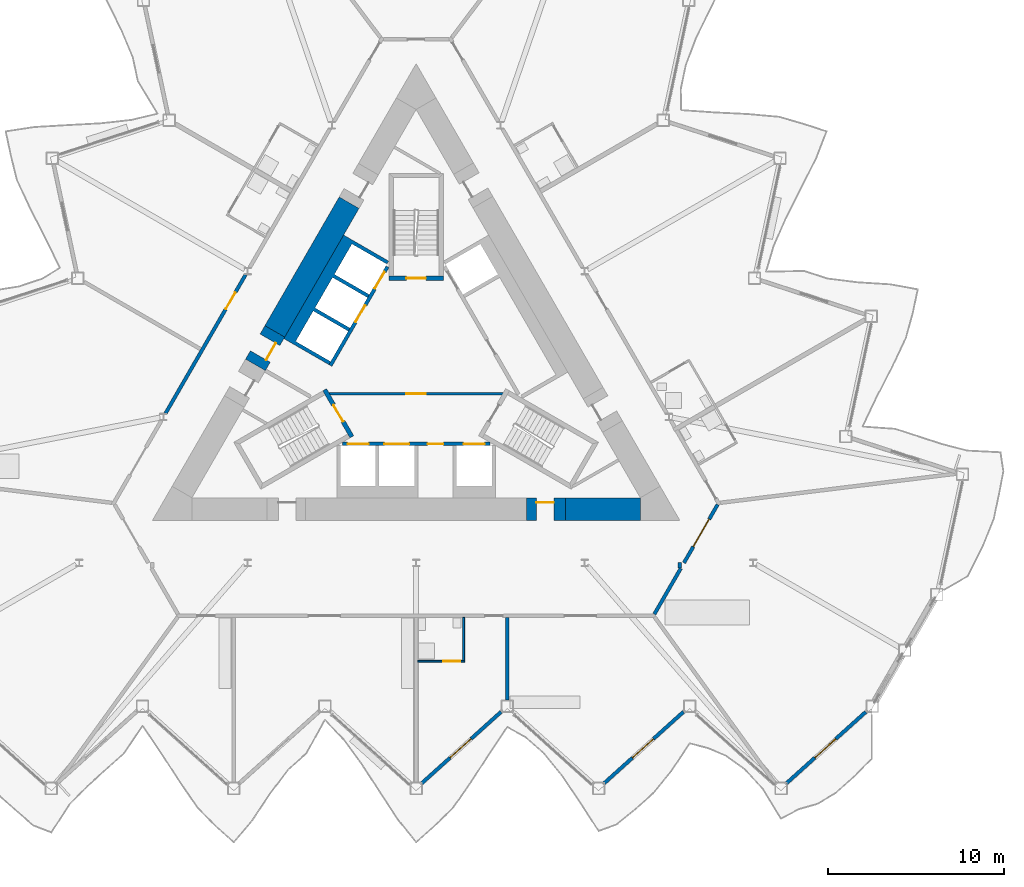
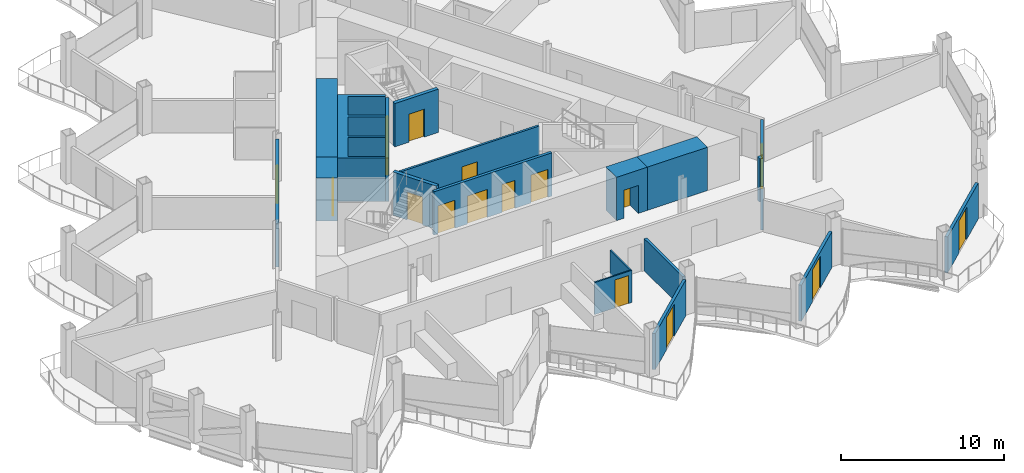
# One storey, part 12 of 24: 20 walls, 17 doors, 17 openings.
"""IFC4 building model written with IfcOpenShell, lengths in metres."""

from ifc_helpers import new_model, si_unit, direction, frame, frame_2d, origin, place, context, subcontext, project, spatial, polyline, rectangle, outline, extrude, material, layer, layer_set, type_object, element, fill, save


model = new_model("IFC4")

# Units and contexts
model_context = context("Model", 3, precision=1e-05, world=origin(), true_north=direction((0.0, 1.0)))
body_context = subcontext(model_context, "Body", "Model", "MODEL_VIEW")
ifc_project = project(units=[si_unit("LENGTHUNIT", "METRE"), si_unit("AREAUNIT", "SQUARE_METRE"), si_unit("VOLUMEUNIT", "CUBIC_METRE"), si_unit("PLANEANGLEUNIT", "RADIAN"), si_unit("MASSUNIT", "GRAM", prefix="KILO")], contexts=[model_context])

# Site, building, storey
site_placement = place(None, origin())
site = spatial("IfcSite", under=ifc_project, at=site_placement, CompositionType="ELEMENT")
building_placement = place(site_placement, origin())
building = spatial("IfcBuilding", under=site, at=building_placement, Name="Cormorant Prow Tower", CompositionType="ELEMENT")
storey_placement = place(building_placement, frame((0.0, 0.0, 274.199951171875)))
storey = spatial("IfcBuildingStorey", under=building, at=storey_placement, Name="L62", CompositionType="ELEMENT", Elevation=274.199951171875)

# Wall, opening, door
ifc_material_1 = material(Name="Gypsum board partition")
ifc_layer_1 = layer(ifc_material_1, 0.14990234375)
ifc_layer_set_1 = layer_set([ifc_layer_1], Name="Gypsum board partition")
wall_type_1 = type_object("IfcWallType", Name="Core partition 150", PredefinedType="PARTITIONING", material=ifc_layer_set_1)
wall_1_placement = place(storey_placement, frame((-4.941162109375, -1.449951171875, 0.0), z_axis=(0.0, 0.0, 1.0), x_axis=(1.0, 0.0, 0.0)))
wall_1 = element("IfcWall", 1, at=wall_1_placement, inside=storey, type_object=wall_type_1, Name="Firefighting lobby partition", PredefinedType="PARTITIONING", context=body_context, shape_type="SweptSolid", body=[
    extrude(rectangle(XDim=9.88232421875, YDim=0.14990234375, at=frame_2d((4.941162109375, 0.0))), origin(), (0.0, 0.0, 1.0), 3.25),
])
opening_1_placement = place(wall_1_placement, frame((4.39111328125, 0.0, 0.0)))
opening_1 = element("IfcOpeningElement", 2, at=opening_1_placement, cuts=wall_1, Name="Opening L62-C09", PredefinedType="OPENING", context=body_context, shape_type="SweptSolid", body=[
    extrude(rectangle(XDim=1.10009765625, YDim=2.10009765625, at=frame_2d((0.550048828125, 1.050048828125))), frame((0.0, 0.0849609375, 0.0), z_axis=(0.0, -1.0, 0.0), x_axis=(1.0, 0.0, 0.0)), (0.0, 0.0, 1.0), 0.169921875),
])
ifc_material_2 = material(Name="Painted steel", Category="steel")
door_type_1 = type_object("IfcDoorType", Name="Firefighting lobby door 1100x2100", OperationType="NOTDEFINED", PredefinedType="DOOR", material=ifc_material_2)
door_1_placement = place(opening_1_placement, origin())
door_1 = element("IfcDoor", 3, at=door_1_placement, inside=storey, type_object=door_type_1, Name="Firefighting lobby door", OperationType="SINGLE_SWING_RIGHT", OverallHeight=2.10009765625, OverallWidth=1.10009765625, PredefinedType="DOOR", context=body_context, shape_type="SweptSolid", body=[
    extrude(rectangle(XDim=1.10009765625, YDim=2.10009765625, at=frame_2d((0.550048828125, 1.050048828125))), frame((0.0, 0.02490234375, 0.0), z_axis=(0.0, -1.0, 0.0), x_axis=(1.0, 0.0, 0.0)), (0.0, 0.0, 1.0), 0.050048828125),
])
fill(opening_1, door_1)

# Walls
ifc_material_3 = material(Name="Concrete 8000 psi", Category="concrete")
ifc_layer_2 = layer(ifc_material_3, 1.300048828125)
ifc_layer_set_2 = layer_set([ifc_layer_2], Name="Concrete 8000 psi")
wall_type_2 = type_object("IfcWallType", Name="Core shear wall 1300", PredefinedType="SHEAR", material=ifc_layer_set_2)
wall_2_placement = place(storey_placement, frame((8.48828125, -8.01025390625, 0.0), z_axis=(0.0, 0.0, 1.0), x_axis=(1.0, 0.0, 0.0)))
element("IfcWall", 4, at=wall_2_placement, inside=storey, type_object=wall_type_2, Name="Core wall", PredefinedType="SHEAR", context=body_context, shape_type="SweptSolid", body=[
    extrude(rectangle(XDim=4.260009765625, YDim=1.300048828125, at=frame_2d((2.1298828125, 0.0))), origin(), (0.0, 0.0, 1.0), 3.25),
])
wall_3_placement = place(storey_placement, frame((-3.811767578125, 9.41845703125, 0.0), z_axis=(0.0, 0.0, 1.0), x_axis=(-0.499995037753, -0.86602826872, 0.0)))
element("IfcWall", 5, at=wall_3_placement, inside=storey, type_object=wall_type_2, Name="Core wall", PredefinedType="SHEAR", context=body_context, shape_type="SweptSolid", body=[
    extrude(rectangle(XDim=8.45068359375, YDim=1.300048828125, at=frame_2d((4.225341796875, 0.0))), origin(), (0.0, 0.0, 1.0), 3.25),
])

# Wall, opening, door
wall_4_placement = place(storey_placement, frame((6.2880859375, -8.01025390625, 0.0), z_axis=(0.0, 0.0, 1.0), x_axis=(1.0, 0.0, 0.0)))
wall_4 = element("IfcWall", 6, at=wall_4_placement, inside=storey, type_object=wall_type_2, Name="Core wall door panel", PredefinedType="SHEAR", context=body_context, shape_type="SweptSolid", body=[
    extrude(rectangle(XDim=2.2001953125, YDim=1.300048828125, at=frame_2d((1.10009765625, 0.0))), origin(), (0.0, 0.0, 1.0), 3.25),
])
opening_2_placement = place(wall_4_placement, frame((0.550048828125, 0.0, 0.0)))
opening_2 = element("IfcOpeningElement", 7, at=opening_2_placement, cuts=wall_4, Name="Opening L62-C13", PredefinedType="OPENING", context=body_context, shape_type="SweptSolid", body=[
    extrude(rectangle(XDim=1.0, YDim=2.10009765625, at=frame_2d((0.5, 1.050048828125))), frame((0.0, 0.659912109375, 0.0), z_axis=(0.0, -1.0, 0.0), x_axis=(1.0, 0.0, 0.0)), (0.0, 0.0, 1.0), 1.320068359375),
])
ifc_material_4 = material(Name="Painted steel", Category="steel")
door_type_2 = type_object("IfcDoorType", Name="Service door 1000x2100", OperationType="NOTDEFINED", PredefinedType="DOOR", material=ifc_material_4)
door_2_placement = place(opening_2_placement, origin())
door_2 = element("IfcDoor", 8, at=door_2_placement, inside=storey, type_object=door_type_2, Name="Core door, Telecom room", OperationType="SINGLE_SWING_RIGHT", OverallHeight=2.10009765625, OverallWidth=1.0, PredefinedType="DOOR", context=body_context, shape_type="SweptSolid", body=[
    extrude(rectangle(XDim=1.0, YDim=2.10009765625, at=frame_2d((0.5, 1.050048828125))), frame((0.0, 0.40478515625, 0.0), z_axis=(0.0, -1.0, 0.0), x_axis=(1.0, 0.0, 0.0)), (0.0, 0.0, 1.0), 0.050048828125),
])
fill(opening_2, door_2)

wall_5_placement = place(storey_placement, frame((-8.037109375, 2.099853515625, 0.0), z_axis=(0.0, 0.0, 1.0), x_axis=(-0.50002983664, -0.866008176907, 0.0)))
wall_5 = element("IfcWall", 9, at=wall_5_placement, inside=storey, type_object=wall_type_2, Name="Core wall door panel", PredefinedType="SHEAR", context=body_context, shape_type="SweptSolid", body=[
    extrude(rectangle(XDim=2.199951171875, YDim=1.300048828125, at=frame_2d((1.10009765625, 0.0))), origin(), (0.0, 0.0, 1.0), 3.25),
])
opening_3_placement = place(wall_5_placement, frame((0.550048828125, 0.0, 0.0)))
opening_3 = element("IfcOpeningElement", 10, at=opening_3_placement, cuts=wall_5, Name="Opening L62-C19", PredefinedType="OPENING", context=body_context, shape_type="SweptSolid", body=[
    extrude(rectangle(XDim=1.10009765625, YDim=2.10009765625, at=frame_2d((0.550048828125, 1.050048828125))), frame((0.0, 0.659912109375, 0.0), z_axis=(0.0, -1.0, 0.0), x_axis=(1.0, 0.0, 0.0)), (0.0, 0.0, 1.0), 1.320068359375),
])
ifc_material_5 = material(Name="Painted steel", Category="steel")
door_type_3 = type_object("IfcDoorType", Name="Core door 1100x2100", OperationType="NOTDEFINED", PredefinedType="DOOR", material=ifc_material_5)
door_3_placement = place(opening_3_placement, origin())
door_3 = element("IfcDoor", 11, at=door_3_placement, inside=storey, type_object=door_type_3, Name="Core door, lift lobby", OperationType="SINGLE_SWING_RIGHT", OverallHeight=2.10009765625, OverallWidth=1.10009765625, PredefinedType="DOOR", context=body_context, shape_type="SweptSolid", body=[
    extrude(rectangle(XDim=1.10009765625, YDim=2.10009765625, at=frame_2d((0.550048828125, 1.050048828125))), frame((0.0, 0.40478515625, 0.0), z_axis=(0.0, -1.0, 0.0), x_axis=(1.0, 0.0, 0.0)), (0.0, 0.0, 1.0), 0.050048828125),
])
fill(opening_3, door_3)

ifc_material_6 = material(Name="Gypsum board corridor wall")
ifc_layer_3 = layer(ifc_material_6, 0.199951171875)
ifc_layer_set_3 = layer_set([ifc_layer_3], Name="Gypsum board corridor wall")
wall_type_3 = type_object("IfcWallType", Name="Corridor wall 200", PredefinedType="PARTITIONING", material=ifc_layer_set_3)
wall_6_placement = place(storey_placement, frame((-14.24658203125, -2.5556640625, 0.0), z_axis=(0.0, 0.0, 1.0), x_axis=(0.49998193945, 0.866035830797, 0.0)))
wall_6 = element("IfcWall", 12, at=wall_6_placement, inside=storey, type_object=wall_type_3, Name="Corridor wall", PredefinedType="PARTITIONING", context=body_context, shape_type="SweptSolid", body=[
    extrude(rectangle(XDim=9.094482421875, YDim=0.199951171875, at=frame_2d((4.54736328125, 0.0))), origin(), (0.0, 0.0, 1.0), 3.25),
])
opening_4_placement = place(wall_6_placement, frame((6.833251953125, 0.0, 0.0)))
opening_4 = element("IfcOpeningElement", 13, at=opening_4_placement, cuts=wall_6, Name="Opening L62-F17", PredefinedType="OPENING", context=body_context, shape_type="SweptSolid", body=[
    extrude(rectangle(XDim=1.10009765625, YDim=2.10009765625, at=frame_2d((0.550048828125, 1.050048828125))), frame((0.0, 0.10986328125, 0.0), z_axis=(0.0, -1.0, 0.0), x_axis=(1.0, 0.0, 0.0)), (0.0, 0.0, 1.0), 0.219970703125),
])
ifc_material_7 = material(Name="Timber door leaf", Category="wood")
door_type_4 = type_object("IfcDoorType", Name="Suite entrance door 1100x2100", OperationType="NOTDEFINED", PredefinedType="DOOR", material=ifc_material_7)
door_4_placement = place(opening_4_placement, origin())
door_4 = element("IfcDoor", 14, at=door_4_placement, inside=storey, type_object=door_type_4, Name="Junior suite door", OperationType="SINGLE_SWING_RIGHT", OverallHeight=2.10009765625, OverallWidth=1.10009765625, PredefinedType="DOOR", context=body_context, shape_type="SweptSolid", body=[
    extrude(rectangle(XDim=1.10009765625, YDim=2.10009765625, at=frame_2d((0.550048828125, 1.050048828125))), frame((0.0, 0.02490234375, 0.0), z_axis=(0.0, -1.0, 0.0), x_axis=(1.0, 0.0, 0.0)), (0.0, 0.0, 1.0), 0.050048828125),
])
fill(opening_4, door_4)

wall_7_placement = place(storey_placement, frame((15.23095703125, -11.060302734375, 0.0), z_axis=(0.0, 0.0, 1.0), x_axis=(0.499961815444, 0.866047448526, 0.0)))
wall_7 = element("IfcWall", 15, at=wall_7_placement, inside=storey, type_object=wall_type_3, Name="Corridor wall", PredefinedType="PARTITIONING", context=body_context, shape_type="SweptSolid", body=[
    extrude(rectangle(XDim=3.825927734375, YDim=0.199951171875, at=frame_2d((1.9130859375, 0.0))), origin(), (0.0, 0.0, 1.0), 3.25),
])
opening_5_placement = place(wall_7_placement, frame((1.06396484375, 0.0, 0.0)))
opening_5 = element("IfcOpeningElement", 16, at=opening_5_placement, cuts=wall_7, Name="Opening L62-F06", PredefinedType="OPENING", context=body_context, shape_type="SweptSolid", body=[
    extrude(rectangle(XDim=1.800048828125, YDim=2.10009765625, at=frame_2d((0.89990234375, 1.050048828125))), frame((0.0, 0.10986328125, 0.0), z_axis=(0.0, -1.0, 0.0), x_axis=(1.0, 0.0, 0.0)), (0.0, 0.0, 1.0), 0.219970703125),
])
ifc_material_8 = material(Name="Timber door leaf", Category="wood")
door_type_5 = type_object("IfcDoorType", Name="Double door 1800x2100", OperationType="DOUBLE_DOOR_SINGLE_SWING", PredefinedType="DOOR", material=ifc_material_8)
door_5_placement = place(opening_5_placement, origin())
door_5 = element("IfcDoor", 17, at=door_5_placement, inside=storey, type_object=door_type_5, Name="Co-working space door", OperationType="DOUBLE_DOOR_SINGLE_SWING", OverallHeight=2.10009765625, OverallWidth=1.800048828125, PredefinedType="DOOR", context=body_context, shape_type="SweptSolid", body=[
    extrude(rectangle(XDim=1.800048828125, YDim=2.10009765625, at=frame_2d((0.89990234375, 1.050048828125))), frame((0.0, 0.02490234375, 0.0), z_axis=(0.0, -1.0, 0.0), x_axis=(1.0, 0.0, 0.0)), (0.0, 0.0, 1.0), 0.050048828125),
])
fill(opening_5, door_5)

# Walls
wall_8_placement = place(storey_placement, frame((13.548828125, -13.9736328125, 0.0), z_axis=(0.0, 0.0, 1.0), x_axis=(0.500048608389, 0.865997337899, 0.0)))
element("IfcWall", 18, at=wall_8_placement, inside=storey, type_object=wall_type_3, Name="Corridor wall", PredefinedType="PARTITIONING", context=body_context, shape_type="SweptSolid", body=[
    extrude(rectangle(XDim=3.002197265625, YDim=0.199951171875, at=frame_2d((1.5009765625, 0.0))), origin(), (0.0, 0.0, 1.0), 3.25),
])
wall_9_placement = place(storey_placement, frame((15.0, -11.3603515625, 0.0), z_axis=(0.0, 0.0, 1.0), x_axis=(0.0, 1.0, 0.0)))
element("IfcWall", 19, at=wall_9_placement, inside=storey, type_object=wall_type_3, Name="Corridor wall", PredefinedType="PARTITIONING", context=body_context, shape_type="SweptSolid", body=[
    extrude(rectangle(XDim=0.31005859375, YDim=0.199951171875, at=frame_2d((0.155029296875, 0.0))), origin(), (0.0, 0.0, 1.0), 3.25),
])
ifc_material_9 = material(Name="Gypsum board demising wall")
ifc_layer_4 = layer(ifc_material_9, 0.199951171875)
ifc_layer_set_4 = layer_set([ifc_layer_4], Name="Gypsum board demising wall")
wall_type_4 = type_object("IfcWallType", Name="Demising wall 200", PredefinedType="PARTITIONING", material=ifc_layer_set_4)
wall_10_placement = place(storey_placement, frame((5.185302734375, -18.85546875, 0.0), z_axis=(0.0, 0.0, 1.0), x_axis=(0.0, 1.0, 0.0)))
element("IfcWall", 20, at=wall_10_placement, inside=storey, type_object=wall_type_4, Name="Demising wall", PredefinedType="PARTITIONING", context=body_context, shape_type="SweptSolid", body=[
    extrude(rectangle(XDim=4.695068359375, YDim=0.199951171875, at=frame_2d((2.34765625, 0.0))), origin(), (0.0, 0.0, 1.0), 2.404296875),
])

# Wall, opening, door
ifc_material_10 = material(Name="Gypsum board partition")
ifc_layer_5 = layer(ifc_material_10, 0.10009765625)
ifc_layer_set_5 = layer_set([ifc_layer_5], Name="Gypsum board partition")
wall_type_5 = type_object("IfcWallType", Name="Internal partition 100", PredefinedType="PARTITIONING", material=ifc_layer_set_5)
wall_11_placement = place(storey_placement, frame((0.10009765625, -16.660400390625, 0.0), z_axis=(0.0, 0.0, 1.0), x_axis=(1.0, 0.0, 0.0)))
wall_11 = element("IfcWall", 21, at=wall_11_placement, inside=storey, type_object=wall_type_5, Name="Internal partition", PredefinedType="PARTITIONING", context=body_context, shape_type="SweptSolid", body=[
    extrude(rectangle(XDim=2.64990234375, YDim=0.10009765625, at=frame_2d((1.324951171875, 0.0))), origin(), (0.0, 0.0, 1.0), 2.404296875),
])
opening_6_placement = place(wall_11_placement, frame((1.449951171875, 0.0, 0.0)))
opening_6 = element("IfcOpeningElement", 22, at=opening_6_placement, cuts=wall_11, Name="Opening L62-F04", PredefinedType="OPENING", context=body_context, shape_type="SweptSolid", body=[
    extrude(rectangle(XDim=0.949951171875, YDim=2.10009765625, at=frame_2d((0.47509765625, 1.050048828125))), frame((0.0, 0.06005859375, 0.0), z_axis=(0.0, -1.0, 0.0), x_axis=(1.0, 0.0, 0.0)), (0.0, 0.0, 1.0), 0.1201171875),
])
ifc_material_11 = material(Name="Timber door leaf", Category="wood")
door_type_6 = type_object("IfcDoorType", Name="Bathroom door 950x2100", OperationType="NOTDEFINED", PredefinedType="DOOR", material=ifc_material_11)
door_6_placement = place(opening_6_placement, origin())
door_6 = element("IfcDoor", 23, at=door_6_placement, inside=storey, type_object=door_type_6, Name="Guest room door", OperationType="SINGLE_SWING_RIGHT", OverallHeight=2.10009765625, OverallWidth=0.949951171875, PredefinedType="DOOR", context=body_context, shape_type="SweptSolid", body=[
    extrude(rectangle(XDim=0.949951171875, YDim=2.10009765625, at=frame_2d((0.47509765625, 1.050048828125))), frame((0.0, 0.02490234375, 0.0), z_axis=(0.0, -1.0, 0.0), x_axis=(1.0, 0.0, 0.0)), (0.0, 0.0, 1.0), 0.050048828125),
])
fill(opening_6, door_6)

# Wall
wall_12_placement = place(storey_placement, frame((2.699951171875, -16.6103515625, 0.0), z_axis=(0.0, 0.0, 1.0), x_axis=(0.0, 1.0, 0.0)))
element("IfcWall", 24, at=wall_12_placement, inside=storey, type_object=wall_type_5, Name="Internal partition", PredefinedType="PARTITIONING", context=body_context, shape_type="SweptSolid", body=[
    extrude(rectangle(XDim=2.449951171875, YDim=0.10009765625, at=frame_2d((1.22509765625, 0.0))), origin(), (0.0, 0.0, 1.0), 2.404296875),
])

# Wall, openings, doors
ifc_material_12 = material(Name="Concrete 5000 psi", Category="concrete")
ifc_layer_6 = layer(ifc_material_12, 0.199951171875)
ifc_layer_set_6 = layer_set([ifc_layer_6], Name="Concrete 5000 psi")
wall_type_6 = type_object("IfcWallType", Name="Lift lobby wall 200", PredefinedType="SOLIDWALL", material=ifc_layer_set_6)
wall_13_placement = place(storey_placement, frame((-4.1865234375, -4.300048828125, 0.0), z_axis=(0.0, 0.0, 1.0), x_axis=(1.0, 0.0, 0.0)))
wall_13 = element("IfcWall", 25, at=wall_13_placement, inside=storey, type_object=wall_type_6, Name="Lift lobby wall, S block", PredefinedType="SOLIDWALL", context=body_context, shape_type="SweptSolid", body=[
    extrude(rectangle(XDim=8.373046875, YDim=0.199951171875, at=frame_2d((4.1865234375, 0.0))), origin(), (0.0, 0.0, 1.0), 3.25),
])
opening_7_placement = place(wall_13_placement, frame((0.28662109375, 0.0, 0.0)))
opening_7 = element("IfcOpeningElement", 26, at=opening_7_placement, cuts=wall_13, Name="Opening L62-C01", PredefinedType="OPENING", context=body_context, shape_type="SweptSolid", body=[
    extrude(rectangle(XDim=1.199951171875, YDim=2.10009765625, at=frame_2d((0.60009765625, 1.050048828125))), frame((0.0, 0.10986328125, 0.0), z_axis=(0.0, -1.0, 0.0), x_axis=(1.0, 0.0, 0.0)), (0.0, 0.0, 1.0), 0.219970703125),
])
opening_8_placement = place(wall_13_placement, frame((2.38671875, 0.0, 0.0)))
opening_8 = element("IfcOpeningElement", 27, at=opening_8_placement, cuts=wall_13, Name="Opening L62-C02", PredefinedType="OPENING", context=body_context, shape_type="SweptSolid", body=[
    extrude(rectangle(XDim=1.39990234375, YDim=2.10009765625, at=frame_2d((0.699951171875, 1.050048828125))), frame((0.0, 0.10986328125, 0.0), z_axis=(0.0, -1.0, 0.0), x_axis=(1.0, 0.0, 0.0)), (0.0, 0.0, 1.0), 0.219970703125),
])
opening_9_placement = place(wall_13_placement, frame((4.836669921875, 0.0, 0.0)))
opening_9 = element("IfcOpeningElement", 28, at=opening_9_placement, cuts=wall_13, Name="Opening L62-C03", PredefinedType="OPENING", context=body_context, shape_type="SweptSolid", body=[
    extrude(rectangle(XDim=0.89990234375, YDim=2.10009765625, at=frame_2d((0.449951171875, 1.050048828125))), frame((0.0, 0.10986328125, 0.0), z_axis=(0.0, -1.0, 0.0), x_axis=(1.0, 0.0, 0.0)), (0.0, 0.0, 1.0), 0.219970703125),
])
opening_10_placement = place(wall_13_placement, frame((6.88671875, 0.0, 0.0)))
opening_10 = element("IfcOpeningElement", 29, at=opening_10_placement, cuts=wall_13, Name="Opening L62-C04", PredefinedType="OPENING", context=body_context, shape_type="SweptSolid", body=[
    extrude(rectangle(XDim=1.199951171875, YDim=2.10009765625, at=frame_2d((0.60009765625, 1.050048828125))), frame((0.0, 0.10986328125, 0.0), z_axis=(0.0, -1.0, 0.0), x_axis=(1.0, 0.0, 0.0)), (0.0, 0.0, 1.0), 0.219970703125),
])
ifc_material_13 = material(Name="Painted steel", Category="steel")
door_type_7 = type_object("IfcDoorType", Name="Firefighting lift landing door 1200x2100", OperationType="SLIDING_TO_LEFT", PredefinedType="DOOR", material=ifc_material_13)
door_7_placement = place(opening_7_placement, origin())
door_7 = element("IfcDoor", 30, at=door_7_placement, inside=storey, type_object=door_type_7, Name="Landing door FL1", OperationType="SLIDING_TO_LEFT", OverallHeight=2.10009765625, OverallWidth=1.199951171875, PredefinedType="DOOR", context=body_context, shape_type="SweptSolid", body=[
    extrude(rectangle(XDim=1.199951171875, YDim=2.10009765625, at=frame_2d((0.60009765625, 1.050048828125))), frame((0.0, 0.02490234375, 0.0), z_axis=(0.0, -1.0, 0.0), x_axis=(1.0, 0.0, 0.0)), (0.0, 0.0, 1.0), 0.050048828125),
])
fill(opening_7, door_7)
door_8_placement = place(opening_10_placement, origin())
door_8 = element("IfcDoor", 31, at=door_8_placement, inside=storey, type_object=door_type_7, Name="Landing door FL2", OperationType="SLIDING_TO_LEFT", OverallHeight=2.10009765625, OverallWidth=1.199951171875, PredefinedType="DOOR", context=body_context, shape_type="SweptSolid", body=[
    extrude(rectangle(XDim=1.199951171875, YDim=2.10009765625, at=frame_2d((0.60009765625, 1.050048828125))), frame((0.0, 0.02490234375, 0.0), z_axis=(0.0, -1.0, 0.0), x_axis=(1.0, 0.0, 0.0)), (0.0, 0.0, 1.0), 0.050048828125),
])
fill(opening_10, door_8)
ifc_material_14 = material(Name="Painted steel", Category="steel")
door_type_8 = type_object("IfcDoorType", Name="Service door 900x2100", OperationType="NOTDEFINED", PredefinedType="DOOR", material=ifc_material_14)
door_9_placement = place(opening_9_placement, origin())
door_9 = element("IfcDoor", 32, at=door_9_placement, inside=storey, type_object=door_type_8, Name="Service door, Telecom room", OperationType="SINGLE_SWING_RIGHT", OverallHeight=2.10009765625, OverallWidth=0.89990234375, PredefinedType="DOOR", context=body_context, shape_type="SweptSolid", body=[
    extrude(rectangle(XDim=0.89990234375, YDim=2.10009765625, at=frame_2d((0.449951171875, 1.050048828125))), frame((0.0, 0.02490234375, 0.0), z_axis=(0.0, -1.0, 0.0), x_axis=(1.0, 0.0, 0.0)), (0.0, 0.0, 1.0), 0.050048828125),
])
fill(opening_9, door_9)
ifc_material_15 = material(Name="Painted steel", Category="steel")
door_type_9 = type_object("IfcDoorType", Name="Service lift landing door 1400x2100", OperationType="SLIDING_TO_LEFT", PredefinedType="DOOR", material=ifc_material_15)
door_10_placement = place(opening_8_placement, origin())
door_10 = element("IfcDoor", 33, at=door_10_placement, inside=storey, type_object=door_type_9, Name="Landing door SL1", OperationType="SLIDING_TO_LEFT", OverallHeight=2.10009765625, OverallWidth=1.39990234375, PredefinedType="DOOR", context=body_context, shape_type="SweptSolid", body=[
    extrude(rectangle(XDim=1.39990234375, YDim=2.10009765625, at=frame_2d((0.699951171875, 1.050048828125))), frame((0.0, 0.02490234375, 0.0), z_axis=(0.0, -1.0, 0.0), x_axis=(1.0, 0.0, 0.0)), (0.0, 0.0, 1.0), 0.050048828125),
])
fill(opening_8, door_10)

wall_14_placement = place(storey_placement, frame((-1.630615234375, 5.775634765625, 0.0), z_axis=(0.0, 0.0, 1.0), x_axis=(-0.499992876559, -0.866029516466, 0.0)))
wall_14 = element("IfcWall", 34, at=wall_14_placement, inside=storey, type_object=wall_type_6, Name="Lift lobby wall, WNW block", PredefinedType="SOLIDWALL", context=body_context, shape_type="SweptSolid", body=[
    extrude(rectangle(XDim=6.486328125, YDim=0.199951171875, at=frame_2d((3.2431640625, 0.0))), origin(), (0.0, 0.0, 1.0), 3.25),
])
opening_11_placement = place(wall_14_placement, frame((0.336669921875, 0.0, 0.0)))
opening_11 = element("IfcOpeningElement", 35, at=opening_11_placement, cuts=wall_14, Name="Opening L62-C07", PredefinedType="OPENING", context=body_context, shape_type="SweptSolid", body=[
    extrude(rectangle(XDim=1.10009765625, YDim=2.10009765625, at=frame_2d((0.550048828125, 1.050048828125))), frame((0.0, 0.10986328125, 0.0), z_axis=(0.0, -1.0, 0.0), x_axis=(1.0, 0.0, 0.0)), (0.0, 0.0, 1.0), 0.219970703125),
])
opening_12_placement = place(wall_14_placement, frame((2.53662109375, 0.0, 0.0)))
opening_12 = element("IfcOpeningElement", 36, at=opening_12_placement, cuts=wall_14, Name="Opening L62-C08", PredefinedType="OPENING", context=body_context, shape_type="SweptSolid", body=[
    extrude(rectangle(XDim=1.10009765625, YDim=2.10009765625, at=frame_2d((0.550048828125, 1.050048828125))), frame((0.0, 0.10986328125, 0.0), z_axis=(0.0, -1.0, 0.0), x_axis=(1.0, 0.0, 0.0)), (0.0, 0.0, 1.0), 0.219970703125),
])
ifc_material_16 = material(Name="Painted steel", Category="steel")
door_type_10 = type_object("IfcDoorType", Name="Lift landing door 1100x2100", OperationType="SLIDING_TO_LEFT", PredefinedType="DOOR", material=ifc_material_16)
door_11_placement = place(opening_11_placement, origin())
door_11 = element("IfcDoor", 37, at=door_11_placement, inside=storey, type_object=door_type_10, Name="Landing door MR2", OperationType="SLIDING_TO_LEFT", OverallHeight=2.10009765625, OverallWidth=1.10009765625, PredefinedType="DOOR", context=body_context, shape_type="SweptSolid", body=[
    extrude(rectangle(XDim=1.10009765625, YDim=2.10009765625, at=frame_2d((0.550048828125, 1.050048828125))), frame((0.0, 0.02490234375, 0.0), z_axis=(0.0, -1.0, 0.0), x_axis=(1.0, 0.0, 0.0)), (0.0, 0.0, 1.0), 0.050048828125),
])
fill(opening_11, door_11)
door_12_placement = place(opening_12_placement, origin())
door_12 = element("IfcDoor", 38, at=door_12_placement, inside=storey, type_object=door_type_10, Name="Landing door MR3", OperationType="SLIDING_TO_LEFT", OverallHeight=2.10009765625, OverallWidth=1.10009765625, PredefinedType="DOOR", context=body_context, shape_type="SweptSolid", body=[
    extrude(rectangle(XDim=1.10009765625, YDim=2.10009765625, at=frame_2d((0.550048828125, 1.050048828125))), frame((0.0, 0.02490234375, 0.0), z_axis=(0.0, -1.0, 0.0), x_axis=(1.0, 0.0, 0.0)), (0.0, 0.0, 1.0), 0.050048828125),
])
fill(opening_12, door_12)

# Wall
ifc_material_17 = material(Name="Concrete 8000 psi", Category="concrete")
ifc_layer_7 = layer(ifc_material_17, 0.199951171875)
ifc_layer_set_7 = layer_set([ifc_layer_7], Name="Concrete 8000 psi")
wall_type_7 = type_object("IfcWallType", Name="Lift shaft wall 200", PredefinedType="SHEAR", material=ifc_layer_set_7)
wall_15_placement = place(storey_placement, origin())
element("IfcWall", 39, at=wall_15_placement, inside=storey, type_object=wall_type_7, Name="Lift shaft walls, WNW block", PredefinedType="SHEAR", context=body_context, shape_type="SweptSolid", body=[
    extrude(outline(polyline([(-7.524169921875, 1.688232421875), (-4.124267578125, 7.5771484375), (-3.730712890625, 7.35009765625), (-1.560546875, 6.09716796875), (-1.660400390625, 5.923828125), (-3.65234375, 7.073974609375), (-4.65234375, 5.341796875), (-2.660400390625, 4.19189453125), (-2.760498046875, 4.018798828125), (-4.75244140625, 5.168701171875), (-5.75244140625, 3.4365234375), (-3.760498046875, 2.28662109375), (-3.860595703125, 2.11328125), (-5.852294921875, 3.263427734375), (-6.852294921875, 1.53125), (-4.860595703125, 0.38134765625), (-4.96044921875, 0.2080078125), (-7.130859375, 1.461181640625), (-7.524169921875, 1.688232421875)])), origin(), (0.0, 0.0, 1.0), 3.25),
])

# Wall, opening, door
ifc_material_18 = material(Name="Concrete 8000 psi", Category="concrete")
ifc_layer_8 = layer(ifc_material_18, 0.25)
ifc_layer_set_8 = layer_set([ifc_layer_8], Name="Concrete 8000 psi")
wall_type_8 = type_object("IfcWallType", Name="Stair wall 250", PredefinedType="SHEAR", material=ifc_layer_set_8)
wall_16_placement = place(storey_placement, frame((-5.198974609375, -1.21875, 0.0), z_axis=(0.0, 0.0, 1.0), x_axis=(0.499982516597, -0.866035497597, 0.0)))
wall_16 = element("IfcWall", 40, at=wall_16_placement, inside=storey, type_object=wall_type_8, Name="Stair ST1 door wall", PredefinedType="SHEAR", context=body_context, shape_type="SweptSolid", body=[
    extrude(rectangle(XDim=3.087890625, YDim=0.25, at=frame_2d((1.5439453125, 0.0))), origin(), (0.0, 0.0, 1.0), 3.25),
])
opening_13_placement = place(wall_16_placement, frame((0.993896484375, 0.0, 0.0)))
opening_13 = element("IfcOpeningElement", 41, at=opening_13_placement, cuts=wall_16, Name="Opening L62-C10", PredefinedType="OPENING", context=body_context, shape_type="SweptSolid", body=[
    extrude(rectangle(XDim=1.10009765625, YDim=2.10009765625, at=frame_2d((0.550048828125, 1.050048828125))), frame((0.0, 0.135009765625, 0.0), z_axis=(0.0, -1.0, 0.0), x_axis=(1.0, 0.0, 0.0)), (0.0, 0.0, 1.0), 0.27001953125),
])
ifc_material_19 = material(Name="Painted steel", Category="steel")
door_type_11 = type_object("IfcDoorType", Name="Stair door 1100x2100", OperationType="NOTDEFINED", PredefinedType="DOOR", material=ifc_material_19)
door_13_placement = place(opening_13_placement, origin())
door_13 = element("IfcDoor", 42, at=door_13_placement, inside=storey, type_object=door_type_11, Name="Stair ST1 door", OperationType="SINGLE_SWING_LEFT", OverallHeight=2.10009765625, OverallWidth=1.10009765625, PredefinedType="DOOR", context=body_context, shape_type="SweptSolid", body=[
    extrude(rectangle(XDim=1.10009765625, YDim=2.10009765625, at=frame_2d((0.550048828125, 1.050048828125))), frame((0.0, 0.02490234375, 0.0), z_axis=(0.0, -1.0, 0.0), x_axis=(1.0, 0.0, 0.0)), (0.0, 0.0, 1.0), 0.050048828125),
])
fill(opening_13, door_13)

wall_17_placement = place(storey_placement, frame((1.5439453125, 5.11181640625, 0.0), z_axis=(0.0, 0.0, 1.0), x_axis=(-1.0, 0.0, 0.0)))
wall_17 = element("IfcWall", 43, at=wall_17_placement, inside=storey, type_object=wall_type_8, Name="Stair ST3 door wall", PredefinedType="SHEAR", context=body_context, shape_type="SweptSolid", body=[
    extrude(rectangle(XDim=3.087890625, YDim=0.25, at=frame_2d((1.5439453125, 0.0))), origin(), (0.0, 0.0, 1.0), 3.25),
])
opening_14_placement = place(wall_17_placement, frame((0.993896484375, 0.0, 0.0)))
opening_14 = element("IfcOpeningElement", 44, at=opening_14_placement, cuts=wall_17, Name="Opening L62-C12", PredefinedType="OPENING", context=body_context, shape_type="SweptSolid", body=[
    extrude(rectangle(XDim=1.10009765625, YDim=2.10009765625, at=frame_2d((0.550048828125, 1.050048828125))), frame((0.0, 0.135009765625, 0.0), z_axis=(0.0, -1.0, 0.0), x_axis=(1.0, 0.0, 0.0)), (0.0, 0.0, 1.0), 0.27001953125),
])
door_14_placement = place(opening_14_placement, origin())
door_14 = element("IfcDoor", 45, at=door_14_placement, inside=storey, type_object=door_type_11, Name="Stair ST3 door", OperationType="SINGLE_SWING_RIGHT", OverallHeight=2.10009765625, OverallWidth=1.10009765625, PredefinedType="DOOR", context=body_context, shape_type="SweptSolid", body=[
    extrude(rectangle(XDim=1.10009765625, YDim=2.10009765625, at=frame_2d((0.550048828125, 1.050048828125))), frame((0.0, 0.02490234375, 0.0), z_axis=(0.0, -1.0, 0.0), x_axis=(1.0, 0.0, 0.0)), (0.0, 0.0, 1.0), 0.050048828125),
])
fill(opening_14, door_14)

ifc_material_20 = material(Name="Terracotta", Category="masonry")
ifc_layer_9 = layer(ifc_material_20, 0.199951171875)
ifc_layer_set_9 = layer_set([ifc_layer_9], Name="Terracotta")
wall_type_9 = type_object("IfcWallType", Name="Terracotta jamb wall 200", PredefinedType="SOLIDWALL", material=ifc_layer_set_9)
wall_18_placement = place(storey_placement, frame((0.305419921875, -23.605712890625, 0.0), z_axis=(0.0, 0.0, 1.0), x_axis=(0.743144443869, 0.669131030178, 0.0)))
wall_18 = element("IfcWall", 46, at=wall_18_placement, inside=storey, type_object=wall_type_9, Name="Terracotta jamb wall S05", PredefinedType="SOLIDWALL", context=body_context, shape_type="SweptSolid", body=[
    extrude(rectangle(XDim=6.08251953125, YDim=0.199951171875, at=frame_2d((3.041259765625, 0.0))), origin(), (0.0, 0.0, 1.0), 2.700927734375),
])
opening_15_placement = place(wall_18_placement, frame((2.187744140625, 0.0, 0.0)))
opening_15 = element("IfcOpeningElement", 47, at=opening_15_placement, cuts=wall_18, Name="Opening ED62.03", PredefinedType="OPENING", context=body_context, shape_type="SweptSolid", body=[
    extrude(rectangle(XDim=1.60009765625, YDim=2.39990234375, at=frame_2d((0.800048828125, 1.199951171875))), frame((0.0, 0.10986328125, 0.0), z_axis=(0.0, -1.0, 0.0), x_axis=(1.0, 0.0, 0.0)), (0.0, 0.0, 1.0), 0.219970703125),
])
ifc_material_21 = material(Name="Aluminium 6063-T6", Category="aluminium")
door_type_12 = type_object("IfcDoorType", Name="Balcony door 1600x2400", OperationType="DOUBLE_DOOR_SINGLE_SWING", PredefinedType="DOOR", material=ifc_material_21)
door_15_placement = place(opening_15_placement, origin())
door_15 = element("IfcDoor", 48, at=door_15_placement, inside=storey, type_object=door_type_12, Name="Balcony door S05 ED62.03", OperationType="DOUBLE_DOOR_SINGLE_SWING", OverallHeight=2.39990234375, OverallWidth=1.60009765625, PredefinedType="DOOR", context=body_context, shape_type="SweptSolid", body=[
    extrude(rectangle(XDim=1.60009765625, YDim=2.39990234375, at=frame_2d((0.800048828125, 1.199951171875))), frame((0.0, 0.02490234375, 0.0), z_axis=(0.0, -1.0, 0.0), x_axis=(1.0, 0.0, 0.0)), (0.0, 0.0, 1.0), 0.050048828125),
])
fill(opening_15, door_15)

wall_19_placement = place(storey_placement, frame((10.67578125, -23.605712890625, 0.0), z_axis=(0.0, 0.0, 1.0), x_axis=(0.743144443869, 0.669131030178, 0.0)))
wall_19 = element("IfcWall", 49, at=wall_19_placement, inside=storey, type_object=wall_type_9, Name="Terracotta jamb wall S07", PredefinedType="SOLIDWALL", context=body_context, shape_type="SweptSolid", body=[
    extrude(rectangle(XDim=6.08251953125, YDim=0.199951171875, at=frame_2d((3.041259765625, 0.0))), origin(), (0.0, 0.0, 1.0), 2.700927734375),
])
opening_16_placement = place(wall_19_placement, frame((2.187744140625, 0.0, 0.0)))
opening_16 = element("IfcOpeningElement", 50, at=opening_16_placement, cuts=wall_19, Name="Opening ED62.04", PredefinedType="OPENING", context=body_context, shape_type="SweptSolid", body=[
    extrude(rectangle(XDim=1.60009765625, YDim=2.39990234375, at=frame_2d((0.800048828125, 1.199951171875))), frame((0.0, 0.10986328125, 0.0), z_axis=(0.0, -1.0, 0.0), x_axis=(1.0, 0.0, 0.0)), (0.0, 0.0, 1.0), 0.219970703125),
])
door_16_placement = place(opening_16_placement, origin())
door_16 = element("IfcDoor", 51, at=door_16_placement, inside=storey, type_object=door_type_12, Name="Balcony door S07 ED62.04", OperationType="DOUBLE_DOOR_SINGLE_SWING", OverallHeight=2.39990234375, OverallWidth=1.60009765625, PredefinedType="DOOR", context=body_context, shape_type="SweptSolid", body=[
    extrude(rectangle(XDim=1.60009765625, YDim=2.39990234375, at=frame_2d((0.800048828125, 1.199951171875))), frame((0.0, 0.02490234375, 0.0), z_axis=(0.0, -1.0, 0.0), x_axis=(1.0, 0.0, 0.0)), (0.0, 0.0, 1.0), 0.050048828125),
])
fill(opening_16, door_16)

wall_20_placement = place(storey_placement, frame((21.046142578125, -23.605712890625, 0.0), z_axis=(0.0, 0.0, 1.0), x_axis=(0.743162414049, 0.669111071755, 0.0)))
wall_20 = element("IfcWall", 52, at=wall_20_placement, inside=storey, type_object=wall_type_9, Name="Terracotta jamb wall S09", PredefinedType="SOLIDWALL", context=body_context, shape_type="SweptSolid", body=[
    extrude(rectangle(XDim=6.082763671875, YDim=0.199951171875, at=frame_2d((3.04150390625, 0.0))), origin(), (0.0, 0.0, 1.0), 2.700927734375),
])
opening_17_placement = place(wall_20_placement, frame((2.187744140625, 0.0, 0.0)))
opening_17 = element("IfcOpeningElement", 53, at=opening_17_placement, cuts=wall_20, Name="Opening ED62.05", PredefinedType="OPENING", context=body_context, shape_type="SweptSolid", body=[
    extrude(rectangle(XDim=1.60009765625, YDim=2.39990234375, at=frame_2d((0.800048828125, 1.199951171875))), frame((0.0, 0.10986328125, 0.0), z_axis=(0.0, -1.0, 0.0), x_axis=(1.0, 0.0, 0.0)), (0.0, 0.0, 1.0), 0.219970703125),
])
door_17_placement = place(opening_17_placement, origin())
door_17 = element("IfcDoor", 54, at=door_17_placement, inside=storey, type_object=door_type_12, Name="Balcony door S09 ED62.05", OperationType="DOUBLE_DOOR_SINGLE_SWING", OverallHeight=2.39990234375, OverallWidth=1.60009765625, PredefinedType="DOOR", context=body_context, shape_type="SweptSolid", body=[
    extrude(rectangle(XDim=1.60009765625, YDim=2.39990234375, at=frame_2d((0.800048828125, 1.199951171875))), frame((0.0, 0.02490234375, 0.0), z_axis=(0.0, -1.0, 0.0), x_axis=(1.0, 0.0, 0.0)), (0.0, 0.0, 1.0), 0.050048828125),
])
fill(opening_17, door_17)

save(model, "model.ifc")
